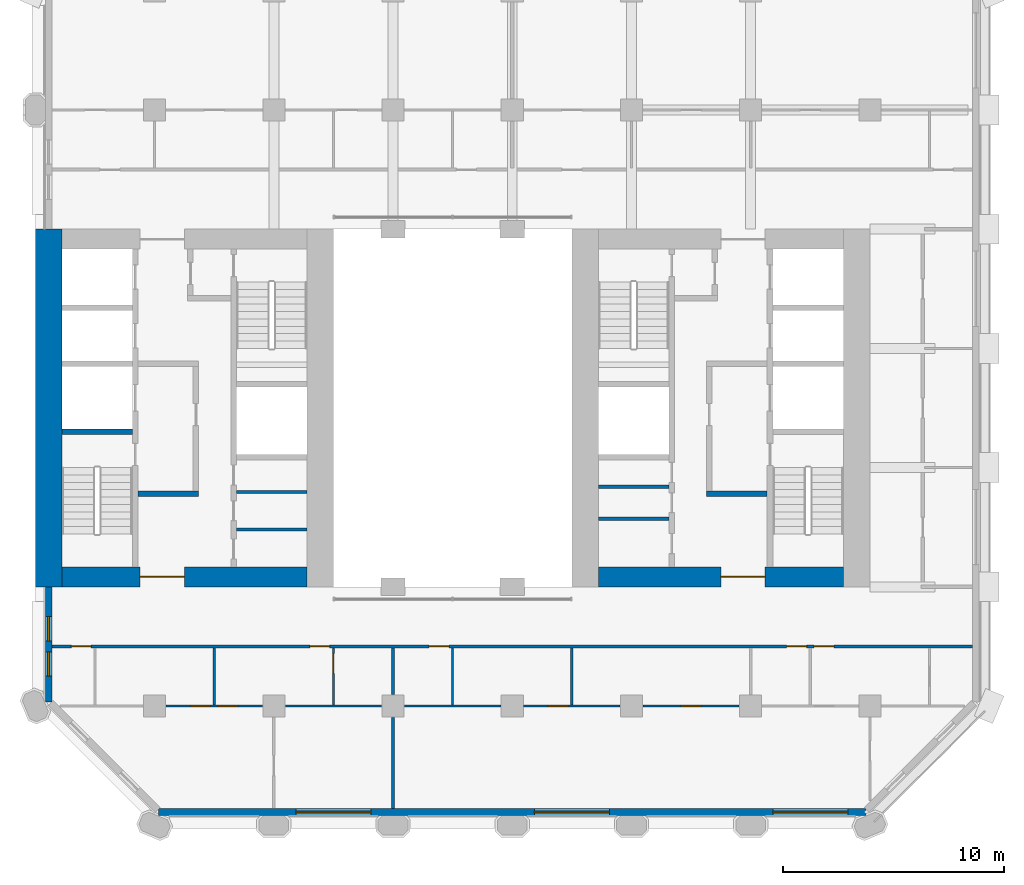
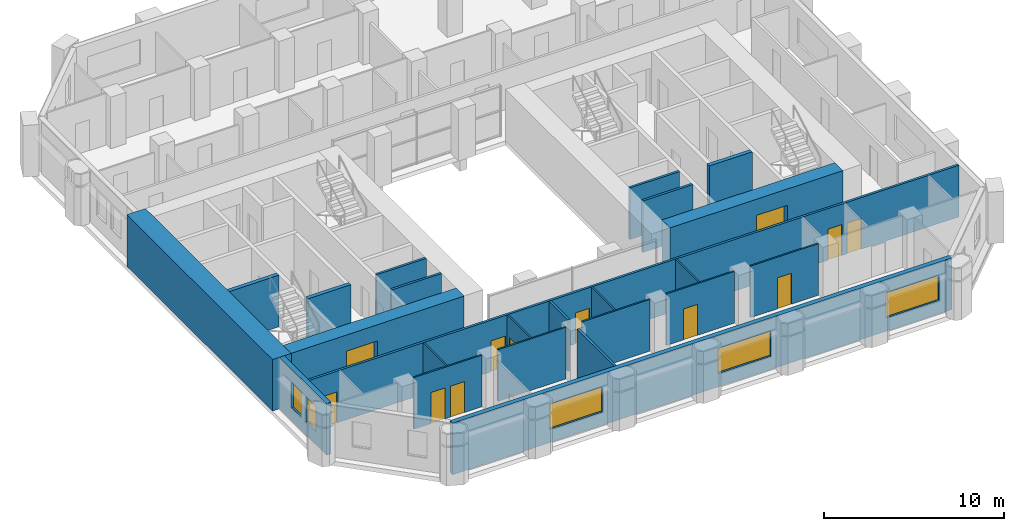
# One storey, part 4 of 11: 24 walls, 12 doors, 5 windows, 17 openings.
"""IFC4 building model written with IfcOpenShell, lengths in metres."""

import ifcopenshell
import ifcopenshell.guid

model = None  # the IFC model being written
_history = None  # IfcOwnerHistory: only IFC2X3 demands one
_inside = {}  # id of a spatial element -> (the spatial element, [elements in it])
_under = {}  # id of a project, library or spatial element -> (it, [spatial elements below it])
_declared = {}  # id of a project -> (the project, [libraries it declares])
_typed = {}  # id of a type object -> (the type object, [elements of that type])
_made_of = {}  # id of a material, layer set ... -> (it, [elements and type objects made of it])


def new_model(schema):
    """Start an empty IFC model of exactly this schema.

    Asked for "IFC4X3", IfcOpenShell would pick the latest addendum, in which some entities
    have other attributes; the version numbers below select the first issue.
    IFC2X3 requires an IfcOwnerHistory on every rooted entity: one is made here for all.
    """
    global model, _history
    if schema == "IFC4X3":
        model = ifcopenshell.file(schema_version=(4, 3, 0, 0))
    else:
        model = ifcopenshell.file(schema=schema)
    _inside.clear()
    _under.clear()
    _declared.clear()
    _typed.clear()
    _made_of.clear()
    _history = None
    if model.schema == "IFC2X3":
        org = make("IfcOrganization", Name="unknown")
        user = make(
            "IfcPersonAndOrganization",
            ThePerson=make("IfcPerson", FamilyName="unknown"),
            TheOrganization=org,
        )
        app = make(
            "IfcApplication",
            ApplicationDeveloper=org,
            Version="unknown",
            ApplicationFullName="unknown",
            ApplicationIdentifier="unknown",
        )
        _history = make(
            "IfcOwnerHistory",
            OwningUser=user,
            OwningApplication=app,
            ChangeAction="ADDED",
            CreationDate=0,
        )
    return model


def make(cls, **values):
    """One entity of the class cls with the attributes given. An attribute that is None is left unset."""
    return model.create_entity(
        cls, **{name: value for name, value in values.items() if value is not None}
    )


def rooted(cls, **values):
    """An entity with a GlobalId (a new one), such as an element, a storey or a relation."""
    return make(cls, GlobalId=ifcopenshell.guid.new(), OwnerHistory=_history, **values)


def si_unit(unit_type, name, prefix=None):
    """IfcSIUnit, for example si_unit("LENGTHUNIT", "METRE", prefix="MILLI")."""
    return make("IfcSIUnit", UnitType=unit_type, Prefix=prefix, Name=name)


def assignment(units):
    """IfcUnitAssignment: the units of a project."""
    return None if units is None else make("IfcUnitAssignment", Units=units)


def point(xyz):
    """IfcCartesianPoint."""
    return None if xyz is None else make("IfcCartesianPoint", Coordinates=xyz)


def direction(xyz):
    """IfcDirection."""
    return None if xyz is None else make("IfcDirection", DirectionRatios=xyz)


def frame(location, z_axis=None, x_axis=None):
    """IfcAxis2Placement3D, a coordinate frame: its origin and axes. An axis left out is left unset."""
    return make(
        "IfcAxis2Placement3D",
        Location=point(location),
        Axis=direction(z_axis),
        RefDirection=direction(x_axis),
    )


def frame_2d(location, x_axis=None):
    """IfcAxis2Placement2D, a coordinate frame in the plane: its origin and x axis."""
    return make(
        "IfcAxis2Placement2D", Location=point(location), RefDirection=direction(x_axis)
    )


def origin():
    """The frame at (0, 0, 0) with its axes left unset."""
    return frame((0.0, 0.0, 0.0))


def place(relative_to, where):
    """IfcLocalPlacement: puts the frame where relative to a parent placement (None: the world)."""
    return make(
        "IfcLocalPlacement", PlacementRelTo=relative_to, RelativePlacement=where
    )


def context(
    kind, dimensions, precision=None, world=None, true_north=None, identifier=None
):
    """IfcGeometricRepresentationContext, for example the 3D "Model" context."""
    return make(
        "IfcGeometricRepresentationContext",
        ContextIdentifier=identifier,
        ContextType=kind,
        CoordinateSpaceDimension=dimensions,
        Precision=precision,
        WorldCoordinateSystem=world,
        TrueNorth=true_north,
    )


def subcontext(parent, identifier, kind, view, scale=None):
    """IfcGeometricRepresentationSubContext, for example "Body" below "Model"."""
    return make(
        "IfcGeometricRepresentationSubContext",
        ContextIdentifier=identifier,
        ContextType=kind,
        ParentContext=parent,
        TargetScale=scale,
        TargetView=view,
    )


def project(units=None, contexts=None):
    """IfcProject with its units and contexts."""
    return rooted(
        "IfcProject",
        Name="project",
        RepresentationContexts=contexts,
        UnitsInContext=assignment(units),
    )


def spatial(cls, under=None, at=None, **own):
    """A site, building, storey or space (cls), placed at a placement, below another one or the project."""
    s = rooted(cls, ObjectPlacement=at, **own)
    if under is not None:
        _under.setdefault(under.id(), (under, []))[1].append(s)
    return s


def profile(cls, at=None, kind="AREA", **sizes):
    """A parametric profile (cls). Its sizes go by their IFC names, for example OverallWidth=200.0."""
    return make(cls, ProfileType=kind, Position=at, **sizes)


def rectangle(**sizes):
    """IfcRectangleProfileDef."""
    return profile("IfcRectangleProfileDef", **sizes)


def extrude(swept, where, along, depth):
    """IfcExtrudedAreaSolid: the profile swept, set in the frame where, extruded along a direction by depth."""
    return make(
        "IfcExtrudedAreaSolid",
        SweptArea=swept,
        Position=where,
        ExtrudedDirection=direction(along),
        Depth=depth,
    )


def shape(context_of_items, identifier, shape_type, items):
    """IfcShapeRepresentation: the items that make up one representation, for example the "Body"."""
    return make(
        "IfcShapeRepresentation",
        ContextOfItems=context_of_items,
        RepresentationIdentifier=identifier,
        RepresentationType=shape_type,
        Items=items,
    )


def material(Name=None, Category=None):
    """IfcMaterial."""
    return make("IfcMaterial", Name=Name, Category=Category)


def layer(
    of_material, thickness, ventilated=None, Name=None, Category=None, Priority=None
):
    """IfcMaterialLayer: one layer of a wall or slab, of a material (None: an air gap)."""
    return make(
        "IfcMaterialLayer",
        Material=of_material,
        LayerThickness=thickness,
        IsVentilated=ventilated,
        Name=Name,
        Category=Category,
        Priority=Priority,
    )


def layer_set(layers, Name=None):
    """IfcMaterialLayerSet."""
    return make("IfcMaterialLayerSet", MaterialLayers=layers, LayerSetName=Name)


def made_of(thing, what):
    """Note that an element or type object is made of a material, layer set ...; save() writes the relation."""
    if what is not None:
        _made_of.setdefault(what.id(), (what, []))[1].append(thing)
    return thing


def type_object(cls, material=None, **own):
    """A type object (cls), such as IfcWallType, which elements share."""
    return made_of(rooted(cls, **own), material)


def element(
    cls,
    number,
    at=None,
    inside=None,
    cuts=None,
    type_object=None,
    material=None,
    context=None,
    identifier="Body",
    shape_type=None,
    held_by="IfcProductDefinitionShape",
    body=None,
    shapes=None,
    **own,
):
    """One element of the class cls, such as IfcWall. Its Tag is "e" and its number.

    at: its placement. inside: the storey or other place that contains it. cuts: it is an
    opening in that element (IfcRelVoidsElement). A single representation is given by context,
    identifier, shape_type and body (its items); several are given by shapes. held_by: the class
    of the entity that holds the representations. save() writes the other relations.
    """
    e = rooted(cls, Tag="e%d" % number, ObjectPlacement=at, **own)
    if body is not None:
        shapes = [shape(context, identifier, shape_type, body)]
    if shapes is not None:
        e.Representation = make(held_by, Representations=shapes)
    if inside is not None:
        _inside.setdefault(inside.id(), (inside, []))[1].append(e)
    if cuts is not None:
        rooted(
            "IfcRelVoidsElement", RelatingBuildingElement=cuts, RelatedOpeningElement=e
        )
    if type_object is not None:
        _typed.setdefault(type_object.id(), (type_object, []))[1].append(e)
    return made_of(e, material)


def fill(opening, filler):
    """IfcRelFillsElement: the door or window that sits in an opening."""
    return rooted(
        "IfcRelFillsElement",
        RelatingOpeningElement=opening,
        RelatedBuildingElement=filler,
    )


def aggregate(whole, parts):
    """IfcRelAggregates: a whole, such as a stair, and the parts it consists of."""
    return rooted("IfcRelAggregates", RelatingObject=whole, RelatedObjects=parts)


def save(model, path):
    """Write the relations noted so far, then the file.

    IfcRelAggregates (storeys below a building ...), IfcRelContainedInSpatialStructure (elements
    in a storey), IfcRelDefinesByType, IfcRelAssociatesMaterial and IfcRelDeclares: one each for
    every whole, place, type object, material and project.
    """
    for whole, parts in _under.values():
        aggregate(whole, parts)
    for where, things in _inside.values():
        rooted(
            "IfcRelContainedInSpatialStructure",
            RelatedElements=things,
            RelatingStructure=where,
        )
    for kind, things in _typed.values():
        rooted("IfcRelDefinesByType", RelatedObjects=things, RelatingType=kind)
    for what, things in _made_of.values():
        rooted("IfcRelAssociatesMaterial", RelatedObjects=things, RelatingMaterial=what)
    for by, libraries in _declared.values():
        rooted("IfcRelDeclares", RelatingContext=by, RelatedDefinitions=libraries)
    model.write(path)


model = new_model("IFC4")

# Units and contexts
model_context = context("Model", 3, precision=1e-05, world=origin(), true_north=direction((0.0, 1.0)))
body_context = subcontext(model_context, "Body", "Model", "MODEL_VIEW")
ifc_project = project(units=[si_unit("LENGTHUNIT", "METRE"), si_unit("AREAUNIT", "SQUARE_METRE"), si_unit("VOLUMEUNIT", "CUBIC_METRE"), si_unit("PLANEANGLEUNIT", "RADIAN"), si_unit("MASSUNIT", "GRAM", prefix="KILO")], contexts=[model_context])

# Site, building, storey
site_placement = place(None, origin())
site = spatial("IfcSite", under=ifc_project, at=site_placement, CompositionType="ELEMENT")
building_placement = place(site_placement, origin())
building = spatial("IfcBuilding", under=site, at=building_placement, Name="Tabaq Tower and Sports Hall", CompositionType="ELEMENT")
storey_placement = place(building_placement, frame((0.0, 0.0, 91.60009765625)))
storey = spatial("IfcBuildingStorey", under=building, at=storey_placement, Name="L21", CompositionType="ELEMENT", Elevation=91.60009765625)

# Walls
ifc_material_1 = material(Name="Blockwork", Category="masonry")
ifc_layer_1 = layer(ifc_material_1, 0.14990234375)
ifc_layer_set_1 = layer_set([ifc_layer_1], Name="Core room partition 150 Blockwork")
wall_type_1 = type_object("IfcWallType", Name="Core room partition 150 Blockwork", PredefinedType="PARTITIONING", material=ifc_layer_set_1)
for number, where, z_axis, x_axis, name in (
    (1, (14.5, 18.797119140625, 0.0), (0.0, 0.0, 1.0), (1.0, 0.0, 0.0), "Core room partition W L21"),
    (2, (14.5, 20.493896484375, 0.0), (0.0, 0.0, 1.0), (1.0, 0.0, 0.0), "Core room partition W L21"),
):
    element("IfcWall", number, at=place(storey_placement, frame(where, z_axis=z_axis, x_axis=x_axis)), inside=storey, type_object=wall_type_1, Name=name, PredefinedType="PARTITIONING", context=body_context, shape_type="SweptSolid", body=[
        extrude(rectangle(XDim=3.199951171875, YDim=0.14990234375, at=frame_2d((1.60009765625, 0.0))), origin(), (0.0, 0.0, 1.0), 3.5),
    ])
for number, where, z_axis, x_axis, name in (
    (3, (30.89990234375, 19.282958984375, 0.0), (0.0, 0.0, 1.0), (1.0, 0.0, 0.0), "Core room partition E L21"),
    (4, (30.89990234375, 20.738037109375, 0.0), (0.0, 0.0, 1.0), (1.0, 0.0, 0.0), "Core room partition E L21"),
):
    element("IfcWall", number, at=place(storey_placement, frame(where, z_axis=z_axis, x_axis=x_axis)), inside=storey, type_object=wall_type_1, Name=name, PredefinedType="PARTITIONING", context=body_context, shape_type="SweptSolid", body=[
        extrude(rectangle(XDim=3.2001953125, YDim=0.14990234375, at=frame_2d((1.60009765625, 0.0))), origin(), (0.0, 0.0, 1.0), 3.5),
    ])
ifc_material_2 = material(Name="Concrete C60/75", Category="concrete")
ifc_layer_2 = layer(ifc_material_2, 1.199951171875)
ifc_layer_set_2 = layer_set([ifc_layer_2], Name="Core wall 1200 Concrete C60/75")
wall_type_2 = type_object("IfcWallType", Name="Core wall 1200 Concrete C60/75", PredefinedType="SOLIDWALL", material=ifc_layer_set_2)
wall_1_placement = place(storey_placement, frame((6.0, 16.199951171875, 0.0), z_axis=(0.0, 0.0, 1.0), x_axis=(0.0, 1.0, 0.0)))
element("IfcWall", 5, at=wall_1_placement, inside=storey, type_object=wall_type_2, Name="Core wall W L21", PredefinedType="SOLIDWALL", context=body_context, shape_type="SweptSolid", body=[
    extrude(rectangle(XDim=16.199951171875, YDim=1.199951171875, at=frame_2d((8.10009765625, 0.0))), origin(), (0.0, 0.0, 1.0), 3.5),
])

# Wall, opening, door
ifc_material_3 = material(Name="Concrete C60/75", Category="concrete")
ifc_layer_3 = layer(ifc_material_3, 0.89990234375)
ifc_layer_set_3 = layer_set([ifc_layer_3], Name="Core wall 900 Concrete C60/75")
wall_type_3 = type_object("IfcWallType", Name="Core wall 900 Concrete C60/75", PredefinedType="SOLIDWALL", material=ifc_layer_set_3)
wall_2_placement = place(storey_placement, frame((17.699951171875, 16.64990234375, 0.0), z_axis=(0.0, 0.0, 1.0), x_axis=(-1.0, 0.0, 0.0)))
wall_2 = element("IfcWall", 6, at=wall_2_placement, inside=storey, type_object=wall_type_3, Name="Core wall W L21", PredefinedType="SOLIDWALL", context=body_context, shape_type="SweptSolid", body=[
    extrude(rectangle(XDim=11.099853515625, YDim=0.89990234375, at=frame_2d((5.5498046875, 0.0))), origin(), (0.0, 0.0, 1.0), 3.5),
])
opening_1_placement = place(wall_2_placement, frame((5.550048828125, 0.0, 0.0)))
opening_1 = element("IfcOpeningElement", 7, at=opening_1_placement, cuts=wall_2, Name="Opening PD-WL21-01", PredefinedType="OPENING", context=body_context, shape_type="SweptSolid", body=[
    extrude(rectangle(XDim=2.0, YDim=2.39990234375, at=frame_2d((1.0, 1.199951171875))), frame((0.0, 0.449951171875, 0.0), z_axis=(0.0, -1.0, 0.0), x_axis=(1.0, 0.0, 0.0)), (0.0, 0.0, 1.0), 0.89990234375),
])
ifc_material_4 = material(Name="Steel fire door", Category="steel")
door_type_1 = type_object("IfcDoorType", Name="Core entrance door 2000", OperationType="DOUBLE_DOOR_SINGLE_SWING", PredefinedType="DOOR", material=ifc_material_4)
door_1_placement = place(opening_1_placement, origin())
door_1 = element("IfcDoor", 8, at=door_1_placement, inside=storey, type_object=door_type_1, Name="Core entrance south W L21", OperationType="DOUBLE_DOOR_SINGLE_SWING", OverallHeight=2.39990234375, OverallWidth=2.0, PredefinedType="DOOR", context=body_context, shape_type="SweptSolid", body=[
    extrude(rectangle(XDim=2.0, YDim=2.39990234375, at=frame_2d((1.0, 1.199951171875))), frame((0.0, 0.02490234375, 0.0), z_axis=(0.0, -1.0, 0.0), x_axis=(1.0, 0.0, 0.0)), (0.0, 0.0, 1.0), 0.050048828125),
])
fill(opening_1, door_1)

wall_3_placement = place(storey_placement, frame((42.0, 16.64990234375, 0.0), z_axis=(0.0, 0.0, 1.0), x_axis=(-1.0, 0.0, 0.0)))
wall_3 = element("IfcWall", 9, at=wall_3_placement, inside=storey, type_object=wall_type_3, Name="Core wall E L21", PredefinedType="SOLIDWALL", context=body_context, shape_type="SweptSolid", body=[
    extrude(rectangle(XDim=11.10009765625, YDim=0.89990234375, at=frame_2d((5.550048828125, 0.0))), origin(), (0.0, 0.0, 1.0), 3.5),
])
opening_2_placement = place(wall_3_placement, frame((3.550048828125, 0.0, 0.0)))
opening_2 = element("IfcOpeningElement", 10, at=opening_2_placement, cuts=wall_3, Name="Opening PD-EL21-01", PredefinedType="OPENING", context=body_context, shape_type="SweptSolid", body=[
    extrude(rectangle(XDim=2.0, YDim=2.39990234375, at=frame_2d((1.0, 1.199951171875))), frame((0.0, 0.449951171875, 0.0), z_axis=(0.0, -1.0, 0.0), x_axis=(1.0, 0.0, 0.0)), (0.0, 0.0, 1.0), 0.89990234375),
])
door_2_placement = place(opening_2_placement, origin())
door_2 = element("IfcDoor", 11, at=door_2_placement, inside=storey, type_object=door_type_1, Name="Core entrance south E L21", OperationType="DOUBLE_DOOR_SINGLE_SWING", OverallHeight=2.39990234375, OverallWidth=2.0, PredefinedType="DOOR", context=body_context, shape_type="SweptSolid", body=[
    extrude(rectangle(XDim=2.0, YDim=2.39990234375, at=frame_2d((1.0, 1.199951171875))), frame((0.0, 0.02490234375, 0.0), z_axis=(0.0, -1.0, 0.0), x_axis=(1.0, 0.0, 0.0)), (0.0, 0.0, 1.0), 0.050048828125),
])
fill(opening_2, door_2)

# Wall
ifc_material_5 = material(Name="Gypsum board on steel studs", Category="steel")
ifc_layer_4 = layer(ifc_material_5, 0.10009765625)
ifc_layer_set_4 = layer_set([ifc_layer_4], Name="Partition 100 Gypsum board")
wall_type_4 = type_object("IfcWallType", Name="Partition 100 Gypsum board", PredefinedType="PARTITIONING", material=ifc_layer_set_4)
wall_4_placement = place(storey_placement, frame((13.5, 10.85009765625, 0.0), z_axis=(0.0, 0.0, 1.0), x_axis=(0.0, 1.0, 0.0)))
element("IfcWall", 12, at=wall_4_placement, inside=storey, type_object=wall_type_4, Name="Partition wall L21", PredefinedType="PARTITIONING", context=body_context, shape_type="SweptSolid", body=[
    extrude(rectangle(XDim=2.574951171875, YDim=0.10009765625, at=frame_2d((1.28759765625, 0.0))), origin(), (0.0, 0.0, 1.0), 3.5),
])

# Wall, openings, doors
wall_5_placement = place(storey_placement, frame((11.320068359375, 10.800048828125, 0.0), z_axis=(0.0, 0.0, 1.0), x_axis=(1.0, 0.0, 0.0)))
wall_5 = element("IfcWall", 13, at=wall_5_placement, inside=storey, type_object=wall_type_4, Name="Partition wall L21", PredefinedType="PARTITIONING", context=body_context, shape_type="SweptSolid", body=[
    extrude(rectangle(XDim=4.35986328125, YDim=0.10009765625, at=frame_2d((2.179931640625, 0.0))), origin(), (0.0, 0.0, 1.0), 3.5),
])
opening_3_placement = place(wall_5_placement, frame((1.110107421875, 0.0, 0.0)))
opening_3 = element("IfcOpeningElement", 14, at=opening_3_placement, cuts=wall_5, Name="Opening L21-017", PredefinedType="OPENING", context=body_context, shape_type="SweptSolid", body=[
    extrude(rectangle(XDim=0.89990234375, YDim=2.10009765625, at=frame_2d((0.449951171875, 1.050048828125))), frame((0.0, 0.050048828125, 0.0), z_axis=(0.0, -1.0, 0.0), x_axis=(1.0, 0.0, 0.0)), (0.0, 0.0, 1.0), 0.10009765625),
])
opening_4_placement = place(wall_5_placement, frame((2.35009765625, 0.0, 0.0)))
opening_4 = element("IfcOpeningElement", 15, at=opening_4_placement, cuts=wall_5, Name="Opening L21-030", PredefinedType="OPENING", context=body_context, shape_type="SweptSolid", body=[
    extrude(rectangle(XDim=0.89990234375, YDim=2.10009765625, at=frame_2d((0.449951171875, 1.050048828125))), frame((0.0, 0.050048828125, 0.0), z_axis=(0.0, -1.0, 0.0), x_axis=(1.0, 0.0, 0.0)), (0.0, 0.0, 1.0), 0.10009765625),
])
ifc_material_6 = material(Name="Timber leaf in steel frame", Category="steel")
door_type_2 = type_object("IfcDoorType", Name="Internal door 900 left hand", OperationType="SINGLE_SWING_LEFT", PredefinedType="DOOR", material=ifc_material_6)
door_3_placement = place(opening_3_placement, origin())
door_3 = element("IfcDoor", 16, at=door_3_placement, inside=storey, type_object=door_type_2, Name="Internal door L21-017", OperationType="SINGLE_SWING_LEFT", OverallHeight=2.10009765625, OverallWidth=0.89990234375, PredefinedType="DOOR", context=body_context, shape_type="SweptSolid", body=[
    extrude(rectangle(XDim=0.89990234375, YDim=2.10009765625, at=frame_2d((0.449951171875, 1.050048828125))), frame((0.0, 0.02490234375, 0.0), z_axis=(0.0, -1.0, 0.0), x_axis=(1.0, 0.0, 0.0)), (0.0, 0.0, 1.0), 0.050048828125),
])
fill(opening_3, door_3)
door_4_placement = place(opening_4_placement, origin())
door_4 = element("IfcDoor", 17, at=door_4_placement, inside=storey, type_object=door_type_2, Name="Internal door L21-030", OperationType="SINGLE_SWING_LEFT", OverallHeight=2.10009765625, OverallWidth=0.89990234375, PredefinedType="DOOR", context=body_context, shape_type="SweptSolid", body=[
    extrude(rectangle(XDim=0.89990234375, YDim=2.10009765625, at=frame_2d((0.449951171875, 1.050048828125))), frame((0.0, 0.02490234375, 0.0), z_axis=(0.0, -1.0, 0.0), x_axis=(1.0, 0.0, 0.0)), (0.0, 0.0, 1.0), 0.050048828125),
])
fill(opening_4, door_4)

# Wall, opening, door
wall_6_placement = place(storey_placement, frame((18.89990234375, 10.85009765625, 0.0), z_axis=(0.0, 0.0, 1.0), x_axis=(0.0, 1.0, 0.0)))
wall_6 = element("IfcWall", 18, at=wall_6_placement, inside=storey, type_object=wall_type_4, Name="Partition wall L21", PredefinedType="PARTITIONING", context=body_context, shape_type="SweptSolid", body=[
    extrude(rectangle(XDim=2.574951171875, YDim=0.10009765625, at=frame_2d((1.28759765625, 0.0))), origin(), (0.0, 0.0, 1.0), 3.5),
])
opening_5_placement = place(wall_6_placement, frame((1.425048828125, 0.0, 0.0)))
opening_5 = element("IfcOpeningElement", 19, at=opening_5_placement, cuts=wall_6, Name="Opening L21-018", PredefinedType="OPENING", context=body_context, shape_type="SweptSolid", body=[
    extrude(rectangle(XDim=0.89990234375, YDim=2.10009765625, at=frame_2d((0.449951171875, 1.050048828125))), frame((0.0, 0.050048828125, 0.0), z_axis=(0.0, -1.0, 0.0), x_axis=(1.0, 0.0, 0.0)), (0.0, 0.0, 1.0), 0.10009765625),
])
ifc_material_7 = material(Name="Timber leaf in steel frame", Category="steel")
door_type_3 = type_object("IfcDoorType", Name="Internal door 900 right hand", OperationType="SINGLE_SWING_RIGHT", PredefinedType="DOOR", material=ifc_material_7)
door_5_placement = place(opening_5_placement, origin())
door_5 = element("IfcDoor", 20, at=door_5_placement, inside=storey, type_object=door_type_3, Name="Internal door L21-018", OperationType="SINGLE_SWING_RIGHT", OverallHeight=2.10009765625, OverallWidth=0.89990234375, PredefinedType="DOOR", context=body_context, shape_type="SweptSolid", body=[
    extrude(rectangle(XDim=0.89990234375, YDim=2.10009765625, at=frame_2d((0.449951171875, 1.050048828125))), frame((0.0, 0.02490234375, 0.0), z_axis=(0.0, -1.0, 0.0), x_axis=(1.0, 0.0, 0.0)), (0.0, 0.0, 1.0), 0.050048828125),
])
fill(opening_5, door_5)

# Walls
wall_7_placement = place(storey_placement, frame((16.719970703125, 10.800048828125, 0.0), z_axis=(0.0, 0.0, 1.0), x_axis=(1.0, 0.0, 0.0)))
element("IfcWall", 21, at=wall_7_placement, inside=storey, type_object=wall_type_4, Name="Partition wall L21", PredefinedType="PARTITIONING", context=body_context, shape_type="SweptSolid", body=[
    extrude(rectangle(XDim=4.360107421875, YDim=0.10009765625, at=frame_2d((2.18017578125, 0.0))), origin(), (0.0, 0.0, 1.0), 3.5),
])
wall_8_placement = place(storey_placement, frame((24.300048828125, 10.85009765625, 0.0), z_axis=(0.0, 0.0, 1.0), x_axis=(0.0, 1.0, 0.0)))
element("IfcWall", 22, at=wall_8_placement, inside=storey, type_object=wall_type_4, Name="Partition wall L21", PredefinedType="PARTITIONING", context=body_context, shape_type="SweptSolid", body=[
    extrude(rectangle(XDim=2.574951171875, YDim=0.10009765625, at=frame_2d((1.28759765625, 0.0))), origin(), (0.0, 0.0, 1.0), 3.5),
])
wall_9_placement = place(storey_placement, frame((22.1201171875, 10.800048828125, 0.0), z_axis=(0.0, 0.0, 1.0), x_axis=(1.0, 0.0, 0.0)))
element("IfcWall", 23, at=wall_9_placement, inside=storey, type_object=wall_type_4, Name="Partition wall L21", PredefinedType="PARTITIONING", context=body_context, shape_type="SweptSolid", body=[
    extrude(rectangle(XDim=4.35986328125, YDim=0.10009765625, at=frame_2d((2.179931640625, 0.0))), origin(), (0.0, 0.0, 1.0), 3.5),
])
wall_10_placement = place(storey_placement, frame((29.699951171875, 10.85009765625, 0.0), z_axis=(0.0, 0.0, 1.0), x_axis=(0.0, 1.0, 0.0)))
element("IfcWall", 24, at=wall_10_placement, inside=storey, type_object=wall_type_4, Name="Partition wall L21", PredefinedType="PARTITIONING", context=body_context, shape_type="SweptSolid", body=[
    extrude(rectangle(XDim=2.574951171875, YDim=0.10009765625, at=frame_2d((1.28759765625, 0.0))), origin(), (0.0, 0.0, 1.0), 3.5),
])

# Wall, opening, door
wall_11_placement = place(storey_placement, frame((27.52001953125, 10.800048828125, 0.0), z_axis=(0.0, 0.0, 1.0), x_axis=(1.0, 0.0, 0.0)))
wall_11 = element("IfcWall", 25, at=wall_11_placement, inside=storey, type_object=wall_type_4, Name="Partition wall L21", PredefinedType="PARTITIONING", context=body_context, shape_type="SweptSolid", body=[
    extrude(rectangle(XDim=4.35986328125, YDim=0.10009765625, at=frame_2d((2.179931640625, 0.0))), origin(), (0.0, 0.0, 1.0), 3.5),
])
opening_6_placement = place(wall_11_placement, frame((1.110107421875, 0.0, 0.0)))
opening_6 = element("IfcOpeningElement", 26, at=opening_6_placement, cuts=wall_11, Name="Opening L21-020", PredefinedType="OPENING", context=body_context, shape_type="SweptSolid", body=[
    extrude(rectangle(XDim=0.89990234375, YDim=2.10009765625, at=frame_2d((0.449951171875, 1.050048828125))), frame((0.0, 0.050048828125, 0.0), z_axis=(0.0, -1.0, 0.0), x_axis=(1.0, 0.0, 0.0)), (0.0, 0.0, 1.0), 0.10009765625),
])
door_6_placement = place(opening_6_placement, origin())
door_6 = element("IfcDoor", 27, at=door_6_placement, inside=storey, type_object=door_type_2, Name="Internal door L21-020", OperationType="SINGLE_SWING_LEFT", OverallHeight=2.10009765625, OverallWidth=0.89990234375, PredefinedType="DOOR", context=body_context, shape_type="SweptSolid", body=[
    extrude(rectangle(XDim=0.89990234375, YDim=2.10009765625, at=frame_2d((0.449951171875, 1.050048828125))), frame((0.0, 0.02490234375, 0.0), z_axis=(0.0, -1.0, 0.0), x_axis=(1.0, 0.0, 0.0)), (0.0, 0.0, 1.0), 0.050048828125),
])
fill(opening_6, door_6)

wall_12_placement = place(storey_placement, frame((32.919921875, 10.800048828125, 0.0), z_axis=(0.0, 0.0, 1.0), x_axis=(1.0, 0.0, 0.0)))
wall_12 = element("IfcWall", 28, at=wall_12_placement, inside=storey, type_object=wall_type_4, Name="Partition wall L21", PredefinedType="PARTITIONING", context=body_context, shape_type="SweptSolid", body=[
    extrude(rectangle(XDim=4.360107421875, YDim=0.10009765625, at=frame_2d((2.18017578125, 0.0))), origin(), (0.0, 0.0, 1.0), 3.5),
])
opening_7_placement = place(wall_12_placement, frame((1.72998046875, 0.0, 0.0)))
opening_7 = element("IfcOpeningElement", 29, at=opening_7_placement, cuts=wall_12, Name="Opening L21-021", PredefinedType="OPENING", context=body_context, shape_type="SweptSolid", body=[
    extrude(rectangle(XDim=0.89990234375, YDim=2.10009765625, at=frame_2d((0.449951171875, 1.050048828125))), frame((0.0, 0.050048828125, 0.0), z_axis=(0.0, -1.0, 0.0), x_axis=(1.0, 0.0, 0.0)), (0.0, 0.0, 1.0), 0.10009765625),
])
door_7_placement = place(opening_7_placement, origin())
door_7 = element("IfcDoor", 30, at=door_7_placement, inside=storey, type_object=door_type_2, Name="Internal door L21-021", OperationType="SINGLE_SWING_LEFT", OverallHeight=2.10009765625, OverallWidth=0.89990234375, PredefinedType="DOOR", context=body_context, shape_type="SweptSolid", body=[
    extrude(rectangle(XDim=0.89990234375, YDim=2.10009765625, at=frame_2d((0.449951171875, 1.050048828125))), frame((0.0, 0.02490234375, 0.0), z_axis=(0.0, -1.0, 0.0), x_axis=(1.0, 0.0, 0.0)), (0.0, 0.0, 1.0), 0.050048828125),
])
fill(opening_7, door_7)

# Wall, openings, doors
ifc_material_8 = material(Name="Blockwork", Category="masonry")
ifc_layer_5 = layer(ifc_material_8, 0.14990234375)
ifc_layer_set_5 = layer_set([ifc_layer_5], Name="Separating wall 150 Blockwork")
wall_type_5 = type_object("IfcWallType", Name="Separating wall 150 Blockwork", PredefinedType="PARTITIONING", material=ifc_layer_set_5)
wall_13_placement = place(storey_placement, frame((6.15087890625, 13.5, 0.0), z_axis=(0.0, 0.0, 1.0), x_axis=(1.0, 0.0, 0.0)))
wall_13 = element("IfcWall", 31, at=wall_13_placement, inside=storey, type_object=wall_type_5, Name="Separating wall L21", PredefinedType="PARTITIONING", context=body_context, shape_type="SweptSolid", body=[
    extrude(rectangle(XDim=41.6982421875, YDim=0.14990234375, at=frame_2d((20.84912109375, 0.0))), origin(), (0.0, 0.0, 1.0), 3.5),
])
opening_8_placement = place(wall_13_placement, frame((0.87890625, 0.0, 0.0)))
opening_8 = element("IfcOpeningElement", 32, at=opening_8_placement, cuts=wall_13, Name="Opening L21-003", PredefinedType="OPENING", context=body_context, shape_type="SweptSolid", body=[
    extrude(rectangle(XDim=0.89990234375, YDim=2.10009765625, at=frame_2d((0.449951171875, 1.050048828125))), frame((0.0, 0.074951171875, 0.0), z_axis=(0.0, -1.0, 0.0), x_axis=(1.0, 0.0, 0.0)), (0.0, 0.0, 1.0), 0.14990234375),
])
opening_9_placement = place(wall_13_placement, frame((17.0791015625, 0.0, 0.0)))
opening_9 = element("IfcOpeningElement", 33, at=opening_9_placement, cuts=wall_13, Name="Opening L21-004", PredefinedType="OPENING", context=body_context, shape_type="SweptSolid", body=[
    extrude(rectangle(XDim=0.89990234375, YDim=2.10009765625, at=frame_2d((0.449951171875, 1.050048828125))), frame((0.0, 0.074951171875, 0.0), z_axis=(0.0, -1.0, 0.0), x_axis=(1.0, 0.0, 0.0)), (0.0, 0.0, 1.0), 0.14990234375),
])
opening_10_placement = place(wall_13_placement, frame((33.279052734375, 0.0, 0.0)))
opening_10 = element("IfcOpeningElement", 34, at=opening_10_placement, cuts=wall_13, Name="Opening L21-005", PredefinedType="OPENING", context=body_context, shape_type="SweptSolid", body=[
    extrude(rectangle(XDim=0.89990234375, YDim=2.10009765625, at=frame_2d((0.449951171875, 1.050048828125))), frame((0.0, 0.074951171875, 0.0), z_axis=(0.0, -1.0, 0.0), x_axis=(1.0, 0.0, 0.0)), (0.0, 0.0, 1.0), 0.14990234375),
])
opening_11_placement = place(wall_13_placement, frame((11.678955078125, 0.0, 0.0)))
opening_11 = element("IfcOpeningElement", 35, at=opening_11_placement, cuts=wall_13, Name="Opening L21-028", PredefinedType="OPENING", context=body_context, shape_type="SweptSolid", body=[
    extrude(rectangle(XDim=0.89990234375, YDim=2.10009765625, at=frame_2d((0.449951171875, 1.050048828125))), frame((0.0, 0.074951171875, 0.0), z_axis=(0.0, -1.0, 0.0), x_axis=(1.0, 0.0, 0.0)), (0.0, 0.0, 1.0), 0.14990234375),
])
opening_12_placement = place(wall_13_placement, frame((34.51904296875, 0.0, 0.0)))
opening_12 = element("IfcOpeningElement", 36, at=opening_12_placement, cuts=wall_13, Name="Opening L21-029", PredefinedType="OPENING", context=body_context, shape_type="SweptSolid", body=[
    extrude(rectangle(XDim=0.89990234375, YDim=2.10009765625, at=frame_2d((0.449951171875, 1.050048828125))), frame((0.0, 0.074951171875, 0.0), z_axis=(0.0, -1.0, 0.0), x_axis=(1.0, 0.0, 0.0)), (0.0, 0.0, 1.0), 0.14990234375),
])
ifc_material_9 = material(Name="Steel fire door", Category="steel")
door_type_4 = type_object("IfcDoorType", Name="Entrance door 900 left hand", OperationType="SINGLE_SWING_LEFT", PredefinedType="DOOR", material=ifc_material_9)
door_8_placement = place(opening_12_placement, origin())
door_8 = element("IfcDoor", 37, at=door_8_placement, inside=storey, type_object=door_type_4, Name="Entrance door L21-029", OperationType="SINGLE_SWING_LEFT", OverallHeight=2.10009765625, OverallWidth=0.89990234375, PredefinedType="DOOR", context=body_context, shape_type="SweptSolid", body=[
    extrude(rectangle(XDim=0.89990234375, YDim=2.10009765625, at=frame_2d((0.449951171875, 1.050048828125))), frame((0.0, 0.02490234375, 0.0), z_axis=(0.0, -1.0, 0.0), x_axis=(1.0, 0.0, 0.0)), (0.0, 0.0, 1.0), 0.050048828125),
])
fill(opening_12, door_8)
ifc_material_10 = material(Name="Steel fire door", Category="steel")
door_type_5 = type_object("IfcDoorType", Name="Entrance door 900 right hand", OperationType="SINGLE_SWING_RIGHT", PredefinedType="DOOR", material=ifc_material_10)
door_9_placement = place(opening_8_placement, origin())
door_9 = element("IfcDoor", 38, at=door_9_placement, inside=storey, type_object=door_type_5, Name="Entrance door L21-003", OperationType="SINGLE_SWING_RIGHT", OverallHeight=2.10009765625, OverallWidth=0.89990234375, PredefinedType="DOOR", context=body_context, shape_type="SweptSolid", body=[
    extrude(rectangle(XDim=0.89990234375, YDim=2.10009765625, at=frame_2d((0.449951171875, 1.050048828125))), frame((0.0, 0.02490234375, 0.0), z_axis=(0.0, -1.0, 0.0), x_axis=(1.0, 0.0, 0.0)), (0.0, 0.0, 1.0), 0.050048828125),
])
fill(opening_8, door_9)
door_10_placement = place(opening_9_placement, origin())
door_10 = element("IfcDoor", 39, at=door_10_placement, inside=storey, type_object=door_type_5, Name="Entrance door L21-004", OperationType="SINGLE_SWING_RIGHT", OverallHeight=2.10009765625, OverallWidth=0.89990234375, PredefinedType="DOOR", context=body_context, shape_type="SweptSolid", body=[
    extrude(rectangle(XDim=0.89990234375, YDim=2.10009765625, at=frame_2d((0.449951171875, 1.050048828125))), frame((0.0, 0.02490234375, 0.0), z_axis=(0.0, -1.0, 0.0), x_axis=(1.0, 0.0, 0.0)), (0.0, 0.0, 1.0), 0.050048828125),
])
fill(opening_9, door_10)
door_11_placement = place(opening_10_placement, origin())
door_11 = element("IfcDoor", 40, at=door_11_placement, inside=storey, type_object=door_type_5, Name="Entrance door L21-005", OperationType="SINGLE_SWING_RIGHT", OverallHeight=2.10009765625, OverallWidth=0.89990234375, PredefinedType="DOOR", context=body_context, shape_type="SweptSolid", body=[
    extrude(rectangle(XDim=0.89990234375, YDim=2.10009765625, at=frame_2d((0.449951171875, 1.050048828125))), frame((0.0, 0.02490234375, 0.0), z_axis=(0.0, -1.0, 0.0), x_axis=(1.0, 0.0, 0.0)), (0.0, 0.0, 1.0), 0.050048828125),
])
fill(opening_10, door_11)
door_12_placement = place(opening_11_placement, origin())
door_12 = element("IfcDoor", 41, at=door_12_placement, inside=storey, type_object=door_type_5, Name="Entrance door L21-028", OperationType="SINGLE_SWING_RIGHT", OverallHeight=2.10009765625, OverallWidth=0.89990234375, PredefinedType="DOOR", context=body_context, shape_type="SweptSolid", body=[
    extrude(rectangle(XDim=0.89990234375, YDim=2.10009765625, at=frame_2d((0.449951171875, 1.050048828125))), frame((0.0, 0.02490234375, 0.0), z_axis=(0.0, -1.0, 0.0), x_axis=(1.0, 0.0, 0.0)), (0.0, 0.0, 1.0), 0.050048828125),
])
fill(opening_11, door_12)

# Walls
wall_14_placement = place(storey_placement, frame((21.60009765625, 11.320068359375, 0.0), z_axis=(0.0, 0.0, 1.0), x_axis=(0.0, 1.0, 0.0)))
element("IfcWall", 42, at=wall_14_placement, inside=storey, type_object=wall_type_5, Name="Separating wall L21", PredefinedType="PARTITIONING", context=body_context, shape_type="SweptSolid", body=[
    extrude(rectangle(XDim=2.10498046875, YDim=0.14990234375, at=frame_2d((1.052490234375, 0.0))), origin(), (0.0, 0.0, 1.0), 3.5),
])
wall_15_placement = place(storey_placement, frame((21.60009765625, 6.15087890625, 0.0), z_axis=(0.0, 0.0, 1.0), x_axis=(0.0, 1.0, 0.0)))
element("IfcWall", 43, at=wall_15_placement, inside=storey, type_object=wall_type_5, Name="Separating wall L21", PredefinedType="PARTITIONING", context=body_context, shape_type="SweptSolid", body=[
    extrude(rectangle(XDim=4.129150390625, YDim=0.14990234375, at=frame_2d((2.064453125, 0.0))), origin(), (0.0, 0.0, 1.0), 3.5),
])
ifc_material_11 = material(Name="Concrete C40/50", Category="concrete")
ifc_layer_6 = layer(ifc_material_11, 0.25)
ifc_layer_set_6 = layer_set([ifc_layer_6], Name="Shaft and stair wall 250 Concrete C40/50")
wall_type_6 = type_object("IfcWallType", Name="Shaft and stair wall 250 Concrete C40/50", PredefinedType="SOLIDWALL", material=ifc_layer_set_6)
wall_16_placement = place(storey_placement, frame((6.60009765625, 23.22509765625, 0.0), z_axis=(0.0, 0.0, 1.0), x_axis=(1.0, 0.0, 0.0)))
element("IfcWall", 44, at=wall_16_placement, inside=storey, type_object=wall_type_6, Name="Stair enclosure wall W L21", PredefinedType="SOLIDWALL", context=body_context, shape_type="SweptSolid", body=[
    extrude(rectangle(XDim=3.199951171875, YDim=0.25, at=frame_2d((1.60009765625, 0.0))), origin(), (0.0, 0.0, 1.0), 3.5),
])
for number, where, z_axis, x_axis, name in (
    (45, (10.050048828125, 20.425048828125, 0.0), (0.0, 0.0, 1.0), (1.0, 0.0, 0.0), "Fire-fighting lobby wall W L21"),
    (46, (35.800048828125, 20.425048828125, 0.0), (0.0, 0.0, 1.0), (1.0, 0.0, 0.0), "Fire-fighting lobby wall E L21"),
):
    element("IfcWall", number, at=place(storey_placement, frame(where, z_axis=z_axis, x_axis=x_axis)), inside=storey, type_object=wall_type_6, Name=name, PredefinedType="SOLIDWALL", context=body_context, shape_type="SweptSolid", body=[
        extrude(rectangle(XDim=2.75, YDim=0.25, at=frame_2d((1.375, 0.0))), origin(), (0.0, 0.0, 1.0), 3.5),
    ])

# Wall, openings, windows
ifc_material_12 = material(Name="White precast concrete C60/75", Category="concrete")
ifc_layer_7 = layer(ifc_material_12, 0.300048828125)
ifc_layer_set_7 = layer_set([ifc_layer_7], Name="White precast concrete C60/75 external wall 300")
wall_type_7 = type_object("IfcWallType", Name="White precast concrete C60/75 external wall 300", PredefinedType="SOLIDWALL", material=ifc_layer_set_7)
wall_17_placement = place(storey_placement, frame((10.986328125, 6.0, 0.0), z_axis=(0.0, 0.0, 1.0), x_axis=(1.0, 0.0, 0.0)))
wall_17 = element("IfcWall", 47, at=wall_17_placement, inside=storey, type_object=wall_type_7, Name="External Wall L21 S", PredefinedType="SOLIDWALL", context=body_context, shape_type="SweptSolid", body=[
    extrude(rectangle(XDim=32.02734375, YDim=0.300048828125, at=frame_2d((16.013671875, 0.0))), origin(), (0.0, 0.0, 1.0), 3.5),
])
opening_13_placement = place(wall_17_placement, frame((6.213623046875, 0.0, 0.89990234375)))
opening_13 = element("IfcOpeningElement", 48, at=opening_13_placement, cuts=wall_17, Name="Opening W1A", PredefinedType="OPENING", context=body_context, shape_type="SweptSolid", body=[
    extrude(rectangle(XDim=3.39990234375, YDim=1.699951171875, at=frame_2d((1.699951171875, 0.85009765625))), frame((0.0, 0.16015625, 0.0), z_axis=(0.0, -1.0, 0.0), x_axis=(1.0, 0.0, 0.0)), (0.0, 0.0, 1.0), 0.320068359375),
])
opening_14_placement = place(wall_17_placement, frame((17.013671875, 0.0, 0.89990234375)))
opening_14 = element("IfcOpeningElement", 49, at=opening_14_placement, cuts=wall_17, Name="Opening W1A", PredefinedType="OPENING", context=body_context, shape_type="SweptSolid", body=[
    extrude(rectangle(XDim=3.39990234375, YDim=1.699951171875, at=frame_2d((1.699951171875, 0.85009765625))), frame((0.0, 0.16015625, 0.0), z_axis=(0.0, -1.0, 0.0), x_axis=(1.0, 0.0, 0.0)), (0.0, 0.0, 1.0), 0.320068359375),
])
opening_15_placement = place(wall_17_placement, frame((27.813720703125, 0.0, 0.89990234375)))
opening_15 = element("IfcOpeningElement", 50, at=opening_15_placement, cuts=wall_17, Name="Opening W1A", PredefinedType="OPENING", context=body_context, shape_type="SweptSolid", body=[
    extrude(rectangle(XDim=3.39990234375, YDim=1.699951171875, at=frame_2d((1.699951171875, 0.85009765625))), frame((0.0, 0.16015625, 0.0), z_axis=(0.0, -1.0, 0.0), x_axis=(1.0, 0.0, 0.0)), (0.0, 0.0, 1.0), 0.320068359375),
])
ifc_material_13 = material(Name="Aluminium framed clear glazing", Category="aluminium")
window_type_1 = type_object("IfcWindowType", Name="Window W1A", PartitioningType="SINGLE_PANEL", PredefinedType="WINDOW", material=ifc_material_13)
window_1_placement = place(opening_13_placement, origin())
window_1 = element("IfcWindow", 51, at=window_1_placement, inside=storey, type_object=window_type_1, Name="Window W1A L21", OverallHeight=1.699951171875, OverallWidth=3.39990234375, PartitioningType="SINGLE_PANEL", PredefinedType="WINDOW", context=body_context, shape_type="SweptSolid", body=[
    extrude(rectangle(XDim=3.39990234375, YDim=1.699951171875, at=frame_2d((1.699951171875, 0.85009765625))), frame((0.0, 0.030029296875, 0.0), z_axis=(0.0, -1.0, 0.0), x_axis=(1.0, 0.0, 0.0)), (0.0, 0.0, 1.0), 0.06005859375),
])
fill(opening_13, window_1)
window_2_placement = place(opening_14_placement, origin())
window_2 = element("IfcWindow", 52, at=window_2_placement, inside=storey, type_object=window_type_1, Name="Window W1A L21", OverallHeight=1.699951171875, OverallWidth=3.39990234375, PartitioningType="SINGLE_PANEL", PredefinedType="WINDOW", context=body_context, shape_type="SweptSolid", body=[
    extrude(rectangle(XDim=3.39990234375, YDim=1.699951171875, at=frame_2d((1.699951171875, 0.85009765625))), frame((0.0, 0.030029296875, 0.0), z_axis=(0.0, -1.0, 0.0), x_axis=(1.0, 0.0, 0.0)), (0.0, 0.0, 1.0), 0.06005859375),
])
fill(opening_14, window_2)
window_3_placement = place(opening_15_placement, origin())
window_3 = element("IfcWindow", 53, at=window_3_placement, inside=storey, type_object=window_type_1, Name="Window W1A L21", OverallHeight=1.699951171875, OverallWidth=3.39990234375, PartitioningType="SINGLE_PANEL", PredefinedType="WINDOW", context=body_context, shape_type="SweptSolid", body=[
    extrude(rectangle(XDim=3.39990234375, YDim=1.699951171875, at=frame_2d((1.699951171875, 0.85009765625))), frame((0.0, 0.030029296875, 0.0), z_axis=(0.0, -1.0, 0.0), x_axis=(1.0, 0.0, 0.0)), (0.0, 0.0, 1.0), 0.06005859375),
])
fill(opening_15, window_3)

wall_18_placement = place(storey_placement, frame((6.0, 16.199951171875, 0.0), z_axis=(0.0, 0.0, 1.0), x_axis=(0.0, -1.0, 0.0)))
wall_18 = element("IfcWall", 54, at=wall_18_placement, inside=storey, type_object=wall_type_7, Name="External Wall L21 W", PredefinedType="SOLIDWALL", context=body_context, shape_type="SweptSolid", body=[
    extrude(rectangle(XDim=5.213623046875, YDim=0.300048828125, at=frame_2d((2.60693359375, 0.0))), origin(), (0.0, 0.0, 1.0), 3.5),
])
opening_16_placement = place(wall_18_placement, frame((1.35009765625, 0.0, 0.89990234375)))
opening_16 = element("IfcOpeningElement", 55, at=opening_16_placement, cuts=wall_18, Name="Opening W1B", PredefinedType="OPENING", context=body_context, shape_type="SweptSolid", body=[
    extrude(rectangle(XDim=1.10009765625, YDim=1.699951171875, at=frame_2d((0.550048828125, 0.85009765625))), frame((0.0, 0.16015625, 0.0), z_axis=(0.0, -1.0, 0.0), x_axis=(1.0, 0.0, 0.0)), (0.0, 0.0, 1.0), 0.320068359375),
])
opening_17_placement = place(wall_18_placement, frame((2.949951171875, 0.0, 0.89990234375)))
opening_17 = element("IfcOpeningElement", 56, at=opening_17_placement, cuts=wall_18, Name="Opening W1B", PredefinedType="OPENING", context=body_context, shape_type="SweptSolid", body=[
    extrude(rectangle(XDim=1.10009765625, YDim=1.699951171875, at=frame_2d((0.550048828125, 0.85009765625))), frame((0.0, 0.16015625, 0.0), z_axis=(0.0, -1.0, 0.0), x_axis=(1.0, 0.0, 0.0)), (0.0, 0.0, 1.0), 0.320068359375),
])
ifc_material_14 = material(Name="Aluminium framed clear glazing", Category="aluminium")
window_type_2 = type_object("IfcWindowType", Name="Window W1B", PartitioningType="SINGLE_PANEL", PredefinedType="WINDOW", material=ifc_material_14)
window_4_placement = place(opening_16_placement, origin())
window_4 = element("IfcWindow", 57, at=window_4_placement, inside=storey, type_object=window_type_2, Name="Window W1B L21", OverallHeight=1.699951171875, OverallWidth=1.10009765625, PartitioningType="SINGLE_PANEL", PredefinedType="WINDOW", context=body_context, shape_type="SweptSolid", body=[
    extrude(rectangle(XDim=1.10009765625, YDim=1.699951171875, at=frame_2d((0.550048828125, 0.85009765625))), frame((0.0, 0.030029296875, 0.0), z_axis=(0.0, -1.0, 0.0), x_axis=(1.0, 0.0, 0.0)), (0.0, 0.0, 1.0), 0.06005859375),
])
fill(opening_16, window_4)
window_5_placement = place(opening_17_placement, origin())
window_5 = element("IfcWindow", 58, at=window_5_placement, inside=storey, type_object=window_type_2, Name="Window W1B L21", OverallHeight=1.699951171875, OverallWidth=1.10009765625, PartitioningType="SINGLE_PANEL", PredefinedType="WINDOW", context=body_context, shape_type="SweptSolid", body=[
    extrude(rectangle(XDim=1.10009765625, YDim=1.699951171875, at=frame_2d((0.550048828125, 0.85009765625))), frame((0.0, 0.030029296875, 0.0), z_axis=(0.0, -1.0, 0.0), x_axis=(1.0, 0.0, 0.0)), (0.0, 0.0, 1.0), 0.06005859375),
])
fill(opening_17, window_5)

save(model, "model.ifc")
